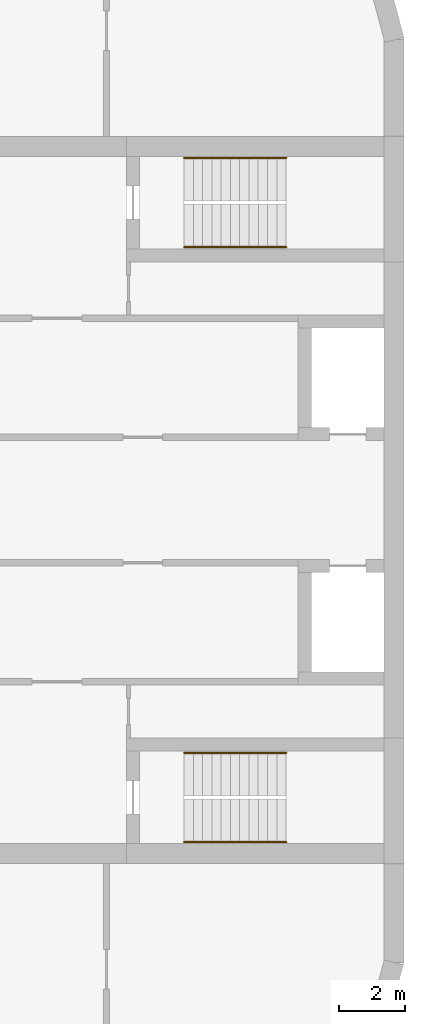
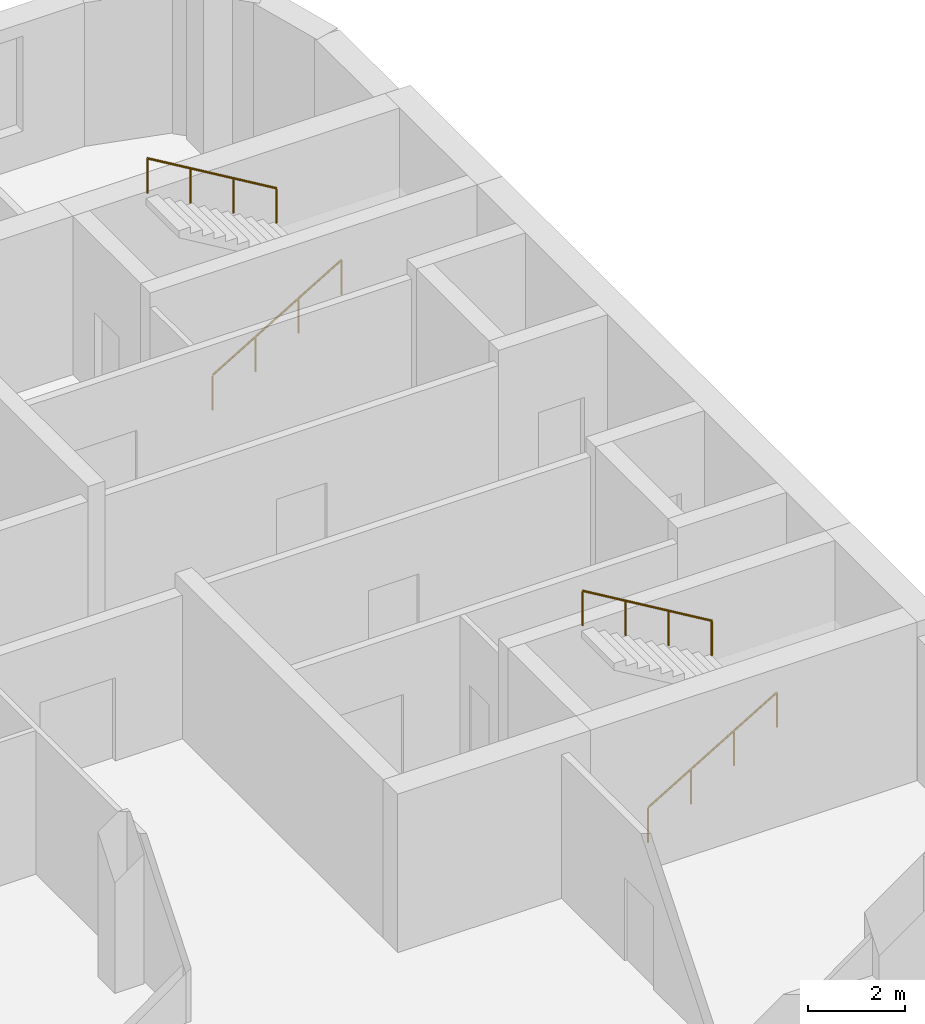
# One storey, part 14 of 16: 4 railings.
"""IFC4 building model written with IfcOpenShell, lengths in metres."""

from ifc_helpers import new_model, si_unit, direction, frame, origin, origin_2d, place, context, subcontext, project, spatial, circle, extrude, material, type_object, element, save


model = new_model("IFC4")

# Units and contexts
model_context = context("Model", 3, precision=1e-05, world=origin(), true_north=direction((0.0, 1.0)))
body_context = subcontext(model_context, "Body", "Model", "MODEL_VIEW")
ifc_project = project(units=[si_unit("LENGTHUNIT", "METRE"), si_unit("AREAUNIT", "SQUARE_METRE"), si_unit("VOLUMEUNIT", "CUBIC_METRE"), si_unit("PLANEANGLEUNIT", "RADIAN"), si_unit("MASSUNIT", "GRAM", prefix="KILO")], contexts=[model_context])

# Site, building, storey
site_placement = place(None, origin())
site = spatial("IfcSite", under=ifc_project, at=site_placement, CompositionType="ELEMENT")
building_placement = place(site_placement, origin())
building = spatial("IfcBuilding", under=site, at=building_placement, Name="Skarvind Civic Tower", CompositionType="ELEMENT")
storey_placement = place(building_placement, frame((0.0, 0.0, 67.5)))
storey = spatial("IfcBuildingStorey", under=building, at=storey_placement, Name="L15", CompositionType="ELEMENT", Elevation=67.5)

# Railings
ifc_material = material(Name="Painted steel handrail", Category="steel")
railing_type = type_object("IfcRailingType", Name="Stair handrail 900", PredefinedType="HANDRAIL", material=ifc_material)
railing_1_placement = place(storey_placement, frame((160.35009765625, 135.64990234375, 0.166748046875)))
element("IfcRailing", 1, at=railing_1_placement, inside=storey, type_object=railing_type, Name="Stair handrail", PredefinedType="HANDRAIL", context=body_context, shape_type="SweptSolid", body=[
    extrude(circle(Radius=0.02392578125, at=origin_2d()), frame((0.0, 0.0, 0.8759765625), z_axis=(0.859290745958, 0.0, 0.51148745235), x_axis=(0.0, 1.0, 0.0)), (0.0, 0.0, 1.0), 3.584228515625),
    extrude(circle(Radius=0.02099609375, at=origin_2d()), origin(), (0.0, 0.0, 1.0), 0.851806640625),
    extrude(circle(Radius=0.02099609375, at=origin_2d()), frame((1.026611328125, 0.0, 0.611083984375)), (0.0, 0.0, 1.0), 0.851806640625),
    extrude(circle(Radius=0.02099609375, at=origin_2d()), frame((2.05322265625, 0.0, 1.22216796875)), (0.0, 0.0, 1.0), 0.851806640625),
    extrude(circle(Radius=0.02099609375, at=origin_2d()), frame((3.079833984375, 0.0, 1.833251953125)), (0.0, 0.0, 1.0), 0.851806640625),
])
railing_2_placement = place(storey_placement, frame((163.429931640625, 138.35009765625, 2.166748046875)))
element("IfcRailing", 2, at=railing_2_placement, inside=storey, type_object=railing_type, Name="Stair handrail", PredefinedType="HANDRAIL", context=body_context, shape_type="SweptSolid", body=[
    extrude(circle(Radius=0.02392578125, at=origin_2d()), frame((0.0, 0.0, 0.8759765625), z_axis=(-0.859290745958, 0.0, 0.51148745235), x_axis=(0.0, -1.0, 0.0)), (0.0, 0.0, 1.0), 3.584228515625),
    extrude(circle(Radius=0.02099609375, at=origin_2d()), origin(), (0.0, 0.0, 1.0), 0.851806640625),
    extrude(circle(Radius=0.02099609375, at=origin_2d()), frame((-1.026611328125, 0.0, 0.611083984375)), (0.0, 0.0, 1.0), 0.851806640625),
    extrude(circle(Radius=0.02099609375, at=origin_2d()), frame((-2.05322265625, 0.0, 1.22216796875)), (0.0, 0.0, 1.0), 0.851806640625),
    extrude(circle(Radius=0.02099609375, at=origin_2d()), frame((-3.079833984375, 0.0, 1.833251953125)), (0.0, 0.0, 1.0), 0.851806640625),
])
railing_3_placement = place(storey_placement, frame((160.35009765625, 117.64990234375, 0.166748046875)))
element("IfcRailing", 3, at=railing_3_placement, inside=storey, type_object=railing_type, Name="Stair handrail", PredefinedType="HANDRAIL", context=body_context, shape_type="SweptSolid", body=[
    extrude(circle(Radius=0.02392578125, at=origin_2d()), frame((0.0, 0.0, 0.8759765625), z_axis=(0.859290745958, 0.0, 0.51148745235), x_axis=(0.0, 1.0, 0.0)), (0.0, 0.0, 1.0), 3.584228515625),
    extrude(circle(Radius=0.02099609375, at=origin_2d()), origin(), (0.0, 0.0, 1.0), 0.851806640625),
    extrude(circle(Radius=0.02099609375, at=origin_2d()), frame((1.026611328125, 0.0, 0.611083984375)), (0.0, 0.0, 1.0), 0.851806640625),
    extrude(circle(Radius=0.02099609375, at=origin_2d()), frame((2.05322265625, 0.0, 1.22216796875)), (0.0, 0.0, 1.0), 0.851806640625),
    extrude(circle(Radius=0.02099609375, at=origin_2d()), frame((3.079833984375, 0.0, 1.833251953125)), (0.0, 0.0, 1.0), 0.851806640625),
])
railing_4_placement = place(storey_placement, frame((163.429931640625, 120.35009765625, 2.166748046875)))
element("IfcRailing", 4, at=railing_4_placement, inside=storey, type_object=railing_type, Name="Stair handrail", PredefinedType="HANDRAIL", context=body_context, shape_type="SweptSolid", body=[
    extrude(circle(Radius=0.02392578125, at=origin_2d()), frame((0.0, 0.0, 0.8759765625), z_axis=(-0.859290745958, 0.0, 0.51148745235), x_axis=(0.0, -1.0, 0.0)), (0.0, 0.0, 1.0), 3.584228515625),
    extrude(circle(Radius=0.02099609375, at=origin_2d()), origin(), (0.0, 0.0, 1.0), 0.851806640625),
    extrude(circle(Radius=0.02099609375, at=origin_2d()), frame((-1.026611328125, 0.0, 0.611083984375)), (0.0, 0.0, 1.0), 0.851806640625),
    extrude(circle(Radius=0.02099609375, at=origin_2d()), frame((-2.05322265625, 0.0, 1.22216796875)), (0.0, 0.0, 1.0), 0.851806640625),
    extrude(circle(Radius=0.02099609375, at=origin_2d()), frame((-3.079833984375, 0.0, 1.833251953125)), (0.0, 0.0, 1.0), 0.851806640625),
])

save(model, "model.ifc")
